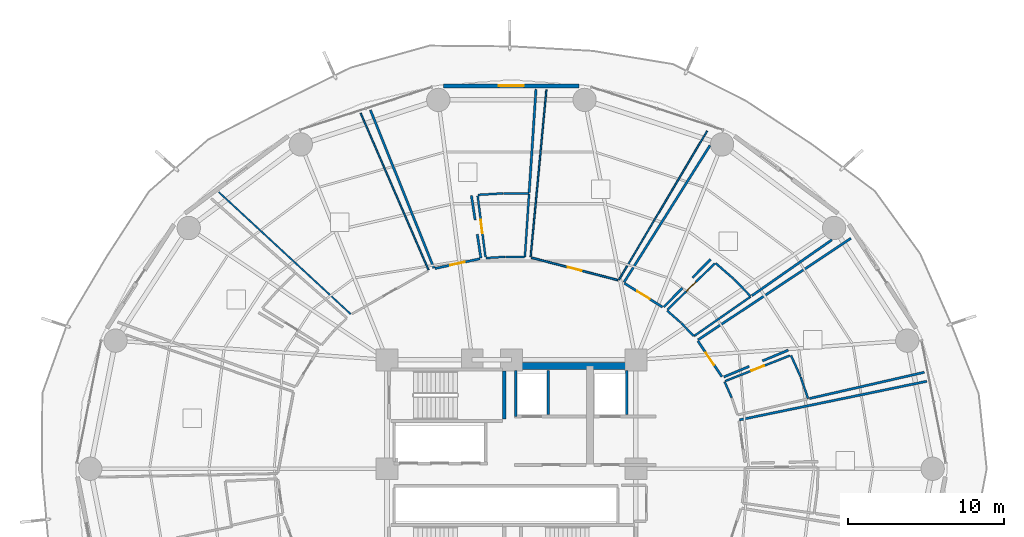
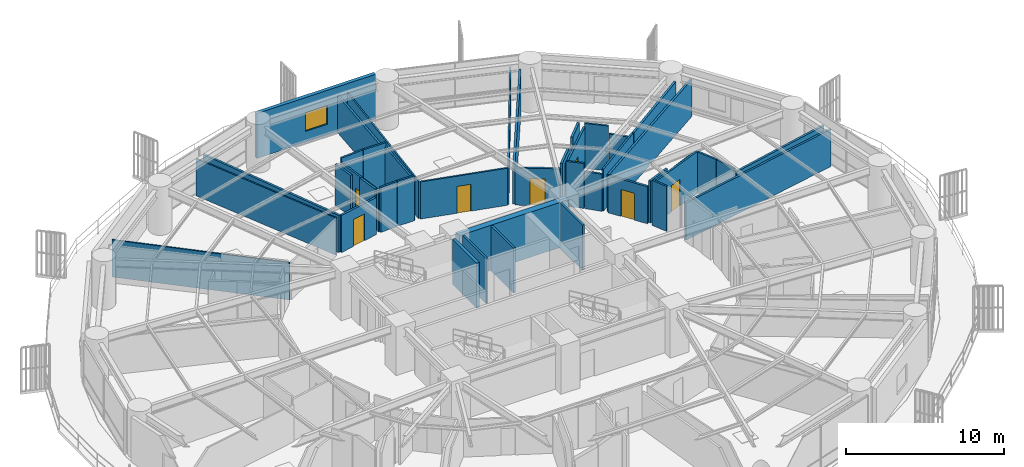
# One storey, part 26 of 33: 43 walls, 7 doors, 1 window, 8 openings.
"""IFC4 building model written with IfcOpenShell, lengths in metres."""

from ifc_helpers import new_model, si_unit, direction, frame, frame_2d, origin, place, context, subcontext, project, spatial, rectangle, extrude, material, layer, layer_set, type_object, element, fill, save


model = new_model("IFC4")

# Units and contexts
model_context = context("Model", 3, precision=1e-05, world=origin(), true_north=direction((0.0, 1.0)))
body_context = subcontext(model_context, "Body", "Model", "MODEL_VIEW")
ifc_project = project(units=[si_unit("LENGTHUNIT", "METRE"), si_unit("AREAUNIT", "SQUARE_METRE"), si_unit("VOLUMEUNIT", "CUBIC_METRE"), si_unit("PLANEANGLEUNIT", "RADIAN"), si_unit("MASSUNIT", "GRAM", prefix="KILO")], contexts=[model_context])

# Site, building, storey
site_placement = place(None, origin())
site = spatial("IfcSite", under=ifc_project, at=site_placement, CompositionType="ELEMENT")
building_placement = place(site_placement, origin())
building = spatial("IfcBuilding", under=site, at=building_placement, Name="Kelanora Arch Commons", CompositionType="ELEMENT")
storey_placement = place(building_placement, frame((0.0, 0.0, 41.25)))
storey = spatial("IfcBuildingStorey", under=building, at=storey_placement, Name="L10", CompositionType="ELEMENT", Elevation=41.25)

# Walls
ifc_material_1 = material(Name="Autoclaved aerated concrete blockwork with fire plaster", Category="masonry")
ifc_layer_1 = layer(ifc_material_1, 0.14990234375)
ifc_layer_set_1 = layer_set([ifc_layer_1], Name="Autoclaved aerated concrete blockwork with fire plaster")
wall_type_1 = type_object("IfcWallType", Name="W-COMP-150", PredefinedType="PARTITIONING", material=ifc_layer_set_1)
wall_1_placement = place(storey_placement, frame((74.280029296875, 61.35009765625, 0.0), z_axis=(0.0, 0.0, 1.0), x_axis=(0.0, 1.0, 0.0)))
element("IfcWall", 1, at=wall_1_placement, inside=storey, type_object=wall_type_1, Name="Firefighting Lift 1 West Shaft Wall L10", PredefinedType="PARTITIONING", context=body_context, shape_type="SweptSolid", body=[
    extrude(rectangle(XDim=2.969970703125, YDim=0.14990234375, at=frame_2d((1.48486328125, 0.0))), origin(), (0.0, 0.0, 1.0), 3.47998046875),
])
for number, where, z_axis, x_axis, name in (
    (2, (76.360107421875, 61.47998046875, 0.0), (0.0, 0.0, 1.0), (0.0, 1.0, 0.0), "Firefighting Lift 1 East Shaft Wall L10"),
    (3, (81.419921875, 61.47998046875, 0.0), (0.0, 0.0, 1.0), (0.0, 1.0, 0.0), "Firefighting Lift 2 East Shaft Wall L10"),
):
    element("IfcWall", number, at=place(storey_placement, frame(where, z_axis=z_axis, x_axis=x_axis)), inside=storey, type_object=wall_type_1, Name=name, PredefinedType="PARTITIONING", context=body_context, shape_type="SweptSolid", body=[
        extrude(rectangle(XDim=2.840087890625, YDim=0.14990234375, at=frame_2d((1.419921875, 0.0))), origin(), (0.0, 0.0, 1.0), 3.47998046875),
    ])

# Wall, opening, door
wall_2_placement = place(storey_placement, frame((87.533447265625, 63.916748046875, 0.0), z_axis=(0.0, 0.0, 1.0), x_axis=(-0.558444152287, 0.829542119953, 0.0)))
wall_2 = element("IfcWall", 4, at=wall_2_placement, inside=storey, type_object=wall_type_1, Name="Co-Living Studio L10-01 Entry Partition", PredefinedType="PARTITIONING", context=body_context, shape_type="SweptSolid", body=[
    extrude(rectangle(XDim=2.7646484375, YDim=0.14990234375, at=frame_2d((1.38232421875, 0.0))), origin(), (0.0, 0.0, 1.0), 2.875),
])
opening_1_placement = place(wall_2_placement, frame((0.906982421875, 0.0, 0.0)))
opening_1 = element("IfcOpeningElement", 5, at=opening_1_placement, cuts=wall_2, Name="Opening D-CLU1", PredefinedType="OPENING", context=body_context, shape_type="SweptSolid", body=[
    extrude(rectangle(XDim=0.949951171875, YDim=2.080078125, at=frame_2d((0.47509765625, 1.0400390625))), frame((0.0, 0.0849609375, 0.0), z_axis=(0.0, -1.0, 0.0), x_axis=(1.0, 0.0, 0.0)), (0.0, 0.0, 1.0), 0.169921875),
])
ifc_material_2 = material(Name="Solid-core acoustic timber cluster entry fire door", Category="wood")
door_type_1 = type_object("IfcDoorType", Name="D-CLU-95", OperationType="NOTDEFINED", PredefinedType="DOOR", material=ifc_material_2)
door_1_placement = place(opening_1_placement, origin())
door_1 = element("IfcDoor", 6, at=door_1_placement, inside=storey, type_object=door_type_1, Name="Co-Living Studio L10-01 Door", OperationType="SINGLE_SWING_RIGHT", OverallHeight=2.080078125, OverallWidth=0.949951171875, PredefinedType="DOOR", context=body_context, shape_type="SweptSolid", body=[
    extrude(rectangle(XDim=0.949951171875, YDim=2.080078125, at=frame_2d((0.47509765625, 1.0400390625))), frame((0.0, 0.02490234375, 0.0), z_axis=(0.0, -1.0, 0.0), x_axis=(1.0, 0.0, 0.0)), (0.0, 0.0, 1.0), 0.050048828125),
])
fill(opening_1, door_1)

wall_3_placement = place(storey_placement, frame((83.711181640625, 68.394775390625, 0.0), z_axis=(0.0, 0.0, 1.0), x_axis=(-0.847522016495, 0.530760239238, 0.0)))
wall_3 = element("IfcWall", 7, at=wall_3_placement, inside=storey, type_object=wall_type_1, Name="Co-Living Studio L10-02 Entry Partition", PredefinedType="PARTITIONING", context=body_context, shape_type="SweptSolid", body=[
    extrude(rectangle(XDim=2.8818359375, YDim=0.14990234375, at=frame_2d((1.44091796875, 0.0))), origin(), (0.0, 0.0, 1.0), 2.875),
])
opening_2_placement = place(wall_3_placement, frame((0.966064453125, 0.0, 0.0)))
opening_2 = element("IfcOpeningElement", 8, at=opening_2_placement, cuts=wall_3, Name="Opening D-CLU1", PredefinedType="OPENING", context=body_context, shape_type="SweptSolid", body=[
    extrude(rectangle(XDim=0.949951171875, YDim=2.080078125, at=frame_2d((0.47509765625, 1.0400390625))), frame((0.0, 0.0849609375, 0.0), z_axis=(0.0, -1.0, 0.0), x_axis=(1.0, 0.0, 0.0)), (0.0, 0.0, 1.0), 0.169921875),
])
door_2_placement = place(opening_2_placement, origin())
door_2 = element("IfcDoor", 9, at=door_2_placement, inside=storey, type_object=door_type_1, Name="Co-Living Studio L10-02 Door", OperationType="SINGLE_SWING_RIGHT", OverallHeight=2.080078125, OverallWidth=0.949951171875, PredefinedType="DOOR", context=body_context, shape_type="SweptSolid", body=[
    extrude(rectangle(XDim=0.949951171875, YDim=2.080078125, at=frame_2d((0.47509765625, 1.0400390625))), frame((0.0, 0.02490234375, 0.0), z_axis=(0.0, -1.0, 0.0), x_axis=(1.0, 0.0, 0.0)), (0.0, 0.0, 1.0), 0.050048828125),
])
fill(opening_2, door_2)

wall_4_placement = place(storey_placement, frame((71.9814453125, 71.501220703125, 0.0), z_axis=(0.0, 0.0, 1.0), x_axis=(-0.977451938751, -0.211158015313, 0.0)))
wall_4 = element("IfcWall", 10, at=wall_4_placement, inside=storey, type_object=wall_type_1, Name="Co-Living Studio L10-04 Entry Partition", PredefinedType="PARTITIONING", context=body_context, shape_type="SweptSolid", body=[
    extrude(rectangle(XDim=2.95751953125, YDim=0.14990234375, at=frame_2d((1.478759765625, 0.0))), origin(), (0.0, 0.0, 1.0), 2.875),
])
opening_3_placement = place(wall_4_placement, frame((1.00390625, 0.0, 0.0)))
opening_3 = element("IfcOpeningElement", 11, at=opening_3_placement, cuts=wall_4, Name="Opening D-CLU1", PredefinedType="OPENING", context=body_context, shape_type="SweptSolid", body=[
    extrude(rectangle(XDim=0.949951171875, YDim=2.080078125, at=frame_2d((0.47509765625, 1.0400390625))), frame((0.0, 0.0849609375, 0.0), z_axis=(0.0, -1.0, 0.0), x_axis=(1.0, 0.0, 0.0)), (0.0, 0.0, 1.0), 0.169921875),
])
door_3_placement = place(opening_3_placement, origin())
door_3 = element("IfcDoor", 12, at=door_3_placement, inside=storey, type_object=door_type_1, Name="Co-Living Studio L10-04 Door", OperationType="SINGLE_SWING_LEFT", OverallHeight=2.080078125, OverallWidth=0.949951171875, PredefinedType="DOOR", context=body_context, shape_type="SweptSolid", body=[
    extrude(rectangle(XDim=0.949951171875, YDim=2.080078125, at=frame_2d((0.47509765625, 1.0400390625))), frame((0.0, 0.02490234375, 0.0), z_axis=(0.0, -1.0, 0.0), x_axis=(1.0, 0.0, 0.0)), (0.0, 0.0, 1.0), 0.050048828125),
])
fill(opening_3, door_3)

# Walls
wall_5_placement = place(storey_placement, frame((85.9892578125, 66.281982421875, 0.0), z_axis=(0.0, 0.0, 1.0), x_axis=(0.833114362659, 0.553100767248, 0.0)))
element("IfcWall", 13, at=wall_5_placement, inside=storey, type_object=wall_type_1, Name="Co-Living Studio L10-01 Enclosure Partition 2", PredefinedType="PARTITIONING", context=body_context, shape_type="SweptSolid", body=[
    extrude(rectangle(XDim=11.80810546875, YDim=0.14990234375, at=frame_2d((5.904052734375, 0.0))), origin(), (0.0, 0.0, 1.0), 2.875),
])
wall_6_placement = place(storey_placement, frame((100.5419921875, 64.203125, 0.0), z_axis=(0.0, 0.0, 1.0), x_axis=(-0.974849509839, -0.222864158552, 0.0)))
element("IfcWall", 14, at=wall_6_placement, inside=storey, type_object=wall_type_1, Name="Co-Living Studio L10-01 Enclosure Partition 5", PredefinedType="PARTITIONING", context=body_context, shape_type="SweptSolid", body=[
    extrude(rectangle(XDim=7.57958984375, YDim=0.14990234375, at=frame_2d((3.789794921875, 0.0))), origin(), (0.0, 0.0, 1.0), 2.875),
])
wall_7_placement = place(storey_placement, frame((91.800048828125, 65.625732421875, 0.0), z_axis=(0.0, 0.0, 1.0), x_axis=(-0.92347379334, -0.383661508383, 0.0)))
element("IfcWall", 15, at=wall_7_placement, inside=storey, type_object=wall_type_1, Name="Co-Living Studio L10-01 Enclosure Partition 7", PredefinedType="PARTITIONING", context=body_context, shape_type="SweptSolid", body=[
    extrude(rectangle(XDim=1.799560546875, YDim=0.14990234375, at=frame_2d((0.89990234375, 0.0))), origin(), (0.0, 0.0, 1.0), 2.875),
])
wall_8_placement = place(storey_placement, frame((89.28857421875, 64.582275390625, 0.0), z_axis=(0.0, 0.0, 1.0), x_axis=(-0.923444705598, -0.383731515129, 0.0)))
element("IfcWall", 16, at=wall_8_placement, inside=storey, type_object=wall_type_1, Name="Co-Living Studio L10-01 Enclosure Partition 7", PredefinedType="PARTITIONING", context=body_context, shape_type="SweptSolid", body=[
    extrude(rectangle(XDim=1.765625, YDim=0.14990234375, at=frame_2d((0.8828125, 0.0))), origin(), (0.0, 0.0, 1.0), 3.235107421875),
])
wall_9_placement = place(storey_placement, frame((81.2392578125, 69.989990234375, 0.0), z_axis=(0.0, 0.0, 1.0), x_axis=(0.531976191107, 0.846759311785, 0.0)))
element("IfcWall", 17, at=wall_9_placement, inside=storey, type_object=wall_type_1, Name="Co-Living Studio L10-02 Enclosure Partition 2", PredefinedType="PARTITIONING", context=body_context, shape_type="SweptSolid", body=[
    extrude(rectangle(XDim=10.39208984375, YDim=0.14990234375, at=frame_2d((5.196044921875, 0.0))), origin(), (0.0, 0.0, 1.0), 3.175048828125),
])
wall_10_placement = place(storey_placement, frame((94.601806640625, 72.716552734375, 0.0), z_axis=(0.0, 0.0, 1.0), x_axis=(-0.819914684215, -0.572485729611, 0.0)))
element("IfcWall", 18, at=wall_10_placement, inside=storey, type_object=wall_type_1, Name="Co-Living Studio L10-02 Enclosure Partition 5", PredefinedType="PARTITIONING", context=body_context, shape_type="SweptSolid", body=[
    extrude(rectangle(XDim=6.27734375, YDim=0.14990234375, at=frame_2d((3.138671875, 0.0))), origin(), (0.0, 0.0, 1.0), 3.175048828125),
])
wall_11_placement = place(storey_placement, frame((86.806884765625, 71.469482421875, 0.0), z_axis=(0.0, 0.0, 1.0), x_axis=(-0.699982262545, -0.714160228606, 0.0)))
element("IfcWall", 19, at=wall_11_placement, inside=storey, type_object=wall_type_1, Name="Co-Living Studio L10-02 Enclosure Partition 7", PredefinedType="PARTITIONING", context=body_context, shape_type="SweptSolid", body=[
    extrude(rectangle(XDim=1.67041015625, YDim=0.14990234375, at=frame_2d((0.835205078125, 0.0))), origin(), (0.0, 0.0, 1.0), 3.47998046875),
])
wall_12_placement = place(storey_placement, frame((84.993408203125, 69.619384765625, 0.0), z_axis=(0.0, 0.0, 1.0), x_axis=(-0.69997059614, -0.714171663215, 0.0)))
element("IfcWall", 20, at=wall_12_placement, inside=storey, type_object=wall_type_1, Name="Co-Living Studio L10-02 Enclosure Partition 7", PredefinedType="PARTITIONING", context=body_context, shape_type="SweptSolid", body=[
    extrude(rectangle(XDim=1.71923828125, YDim=0.14990234375, at=frame_2d((0.859619140625, 0.0))), origin(), (0.0, 0.0, 1.0), 3.235107421875),
])
wall_13_placement = place(storey_placement, frame((69.01708984375, 70.901123046875, 0.0), z_axis=(0.0, 0.0, 1.0), x_axis=(-0.372877076454, 0.927880749803, 0.0)))
element("IfcWall", 21, at=wall_13_placement, inside=storey, type_object=wall_type_1, Name="Co-Living Studio L10-04 Enclosure Partition 2", PredefinedType="PARTITIONING", context=body_context, shape_type="SweptSolid", body=[
    extrude(rectangle(XDim=10.955810546875, YDim=0.14990234375, at=frame_2d((5.47802734375, 0.0))), origin(), (0.0, 0.0, 1.0), 2.875),
])
wall_14_placement = place(storey_placement, frame((75.579345703125, 82.399169921875, 0.0), z_axis=(0.0, 0.0, 1.0), x_axis=(-0.065975596533, -0.997821236827, 0.0)))
element("IfcWall", 22, at=wall_14_placement, inside=storey, type_object=wall_type_1, Name="Co-Living Studio L10-04 Enclosure Partition 5", PredefinedType="PARTITIONING", context=body_context, shape_type="SweptSolid", body=[
    extrude(rectangle(XDim=6.649658203125, YDim=0.14990234375, at=frame_2d((3.32470703125, 0.0))), origin(), (0.0, 0.0, 1.0), 2.875),
])
wall_15_placement = place(storey_placement, frame((71.428955078125, 75.561279296875, 0.0), z_axis=(0.0, 0.0, 1.0), x_axis=(0.149314908759, -0.988789693526, 0.0)))
element("IfcWall", 23, at=wall_15_placement, inside=storey, type_object=wall_type_1, Name="Co-Living Studio L10-04 Enclosure Partition 7", PredefinedType="PARTITIONING", context=body_context, shape_type="SweptSolid", body=[
    extrude(rectangle(XDim=1.592529296875, YDim=0.14990234375, at=frame_2d((0.79638671875, 0.0))), origin(), (0.0, 0.0, 1.0), 3.175048828125),
])
wall_16_placement = place(storey_placement, frame((71.80419921875, 73.07666015625, 0.0), z_axis=(0.0, 0.0, 1.0), x_axis=(0.149162041114, -0.988812765639, 0.0)))
element("IfcWall", 24, at=wall_16_placement, inside=storey, type_object=wall_type_1, Name="Co-Living Studio L10-04 Enclosure Partition 7", PredefinedType="PARTITIONING", context=body_context, shape_type="SweptSolid", body=[
    extrude(rectangle(XDim=1.540283203125, YDim=0.14990234375, at=frame_2d((0.77001953125, 0.0))), origin(), (0.0, 0.0, 1.0), 3.47998046875),
])
wall_17_placement = place(storey_placement, frame((88.666259765625, 61.14404296875, 0.0), z_axis=(0.0, 0.0, 1.0), x_axis=(0.979434419697, 0.201762775339, 0.0)))
element("IfcWall", 25, at=wall_17_placement, inside=storey, type_object=wall_type_1, Name="Co-Living Studio L10-15 Enclosure Partition 2", PredefinedType="PARTITIONING", context=body_context, shape_type="SweptSolid", body=[
    extrude(rectangle(XDim=12.290283203125, YDim=0.14990234375, at=frame_2d((6.14501953125, 0.0))), origin(), (0.0, 0.0, 1.0), 2.875),
])
ifc_material_3 = material(Name="Concrete C60/75", Category="concrete")
ifc_layer_2 = layer(ifc_material_3, 0.449951171875)
ifc_layer_set_2 = layer_set([ifc_layer_2], Name="Concrete C60/75")
wall_type_2 = type_object("IfcWallType", Name="W-CORE-450", PredefinedType="SHEAR", material=ifc_layer_set_2)
wall_18_placement = place(storey_placement, frame((74.0, 64.60009765625, 0.0), z_axis=(0.0, 0.0, 1.0), x_axis=(1.0, 0.0, 0.0)))
element("IfcWall", 26, at=wall_18_placement, inside=storey, type_object=wall_type_2, Name="Core Shear Spine L10-CN-E", PredefinedType="SHEAR", context=body_context, shape_type="SweptSolid", body=[
    extrude(rectangle(XDim=8.0, YDim=0.449951171875, at=frame_2d((4.0, 0.0))), origin(), (0.0, 0.0, 1.0), 3.489990234375),
])

# Wall, opening, window
ifc_material_4 = material(Name="Precast concrete C40/50 with terracotta rainscreen", Category="masonry")
ifc_layer_3 = layer(ifc_material_4, 0.260009765625)
ifc_layer_set_3 = layer_set([ifc_layer_3], Name="Precast concrete C40/50 with terracotta rainscreen")
wall_type_3 = type_object("IfcWallType", Name="W-EXT-TC", PredefinedType="SOLIDWALL", material=ifc_layer_set_3)
wall_19_placement = place(storey_placement, frame((78.35595703125, 82.6201171875, 0.0), z_axis=(0.0, 0.0, 1.0), x_axis=(-1.0, 0.0, 0.0)))
wall_19 = element("IfcWall", 27, at=wall_19_placement, inside=storey, type_object=wall_type_3, Name="Terracotta Exterior Wall L10-B04", PredefinedType="SOLIDWALL", context=body_context, shape_type="SweptSolid", body=[
    extrude(rectangle(XDim=8.7119140625, YDim=0.260009765625, at=frame_2d((4.35595703125, 0.0))), origin(), (0.0, 0.0, 1.0), 3.47509765625),
])
opening_4_placement = place(wall_19_placement, frame((3.555908203125, 0.0, 0.85009765625)))
opening_4 = element("IfcOpeningElement", 28, at=opening_4_placement, cuts=wall_19, Name="Opening WN-01", PredefinedType="OPENING", context=body_context, shape_type="SweptSolid", body=[
    extrude(rectangle(XDim=1.60009765625, YDim=1.449951171875, at=frame_2d((0.800048828125, 0.72509765625))), frame((0.0, 0.14013671875, 0.0), z_axis=(0.0, -1.0, 0.0), x_axis=(1.0, 0.0, 0.0)), (0.0, 0.0, 1.0), 0.280029296875),
])
ifc_material_5 = material(Name="Terracotta-anodised aluminium frame with operable low-E glazing", Category="masonry")
window_type = type_object("IfcWindowType", Name="WIN-CL-18", PartitioningType="DOUBLE_PANEL_VERTICAL", PredefinedType="WINDOW", material=ifc_material_5)
window_placement = place(opening_4_placement, origin())
window = element("IfcWindow", 29, at=window_placement, inside=storey, type_object=window_type, Name="Co-Living Operable Window L10-B04", OverallHeight=1.449951171875, OverallWidth=1.60009765625, PartitioningType="SINGLE_PANEL", PredefinedType="WINDOW", context=body_context, shape_type="SweptSolid", body=[
    extrude(rectangle(XDim=1.60009765625, YDim=1.449951171875, at=frame_2d((0.800048828125, 0.72509765625))), frame((0.0, 0.030029296875, 0.0), z_axis=(0.0, -1.0, 0.0), x_axis=(1.0, 0.0, 0.0)), (0.0, 0.0, 1.0), 0.06005859375),
])
fill(opening_4, window)

# Walls
ifc_material_6 = material(Name="Lightweight fire-rated acoustic stud partition")
ifc_layer_4 = layer(ifc_material_6, 0.10009765625)
ifc_layer_set_4 = layer_set([ifc_layer_4], Name="Lightweight fire-rated acoustic stud partition")
wall_type_4 = type_object("IfcWallType", Name="W-PART-100", PredefinedType="PARTITIONING", material=ifc_layer_set_4)
wall_20_placement = place(storey_placement, frame((75.23583984375, 71.623779296875, 0.0), z_axis=(0.0, 0.0, 1.0), x_axis=(0.093901844858, 0.995581460018, 0.0)))
element("IfcWall", 30, at=wall_20_placement, inside=storey, type_object=wall_type_4, Name="Communal Dining and Social Hall L10-03 Enclosure Partition 2", PredefinedType="PARTITIONING", context=body_context, shape_type="SweptSolid", body=[
    extrude(rectangle(XDim=10.781982421875, YDim=0.10009765625, at=frame_2d((5.39111328125, 0.0))), origin(), (0.0, 0.0, 1.0), 2.875),
])
wall_21_placement = place(storey_placement, frame((86.58349609375, 79.718505859375, 0.0), z_axis=(0.0, 0.0, 1.0), x_axis=(-0.509594840762, -0.860414492131, 0.0)))
element("IfcWall", 31, at=wall_21_placement, inside=storey, type_object=wall_type_4, Name="Communal Dining and Social Hall L10-03 Enclosure Partition 4", PredefinedType="PARTITIONING", context=body_context, shape_type="SweptSolid", body=[
    extrude(rectangle(XDim=11.125, YDim=0.10009765625, at=frame_2d((5.5625, 0.0))), origin(), (0.0, 0.0, 1.0), 2.875),
])
wall_22_placement = place(storey_placement, frame((63.66259765625, 67.947265625, 0.0), z_axis=(0.0, 0.0, 1.0), x_axis=(-0.734175040947, 0.678960241288, 0.0)))
element("IfcWall", 32, at=wall_22_placement, inside=storey, type_object=wall_type_4, Name="Social Sky Lounge L10-05 Enclosure Partition 2", PredefinedType="PARTITIONING", context=body_context, shape_type="SweptSolid", body=[
    extrude(rectangle(XDim=11.54931640625, YDim=0.10009765625, at=frame_2d((5.774658203125, 0.0))), origin(), (0.0, 0.0, 1.0), 2.875),
])
wall_23_placement = place(storey_placement, frame((64.302978515625, 80.86328125, 0.0), z_axis=(0.0, 0.0, 1.0), x_axis=(0.397730954589, -0.917502091421, 0.0)))
element("IfcWall", 33, at=wall_23_placement, inside=storey, type_object=wall_type_4, Name="Social Sky Lounge L10-05 Enclosure Partition 4", PredefinedType="PARTITIONING", context=body_context, shape_type="SweptSolid", body=[
    extrude(rectangle(XDim=10.982666015625, YDim=0.10009765625, at=frame_2d((5.4912109375, 0.0))), origin(), (0.0, 0.0, 1.0), 2.875),
])

# Wall, opening, door
ifc_material_7 = material(Name="Acoustic twin-stud fire-rated gypsum partition")
ifc_layer_5 = layer(ifc_material_7, 0.1201171875)
ifc_layer_set_5 = layer_set([ifc_layer_5], Name="Acoustic twin-stud fire-rated gypsum partition")
wall_type_5 = type_object("IfcWallType", Name="W-PART-120", PredefinedType="PARTITIONING", material=ifc_layer_set_5)
wall_24_placement = place(storey_placement, frame((80.8359375, 70.127197265625, 0.0), z_axis=(0.0, 0.0, 1.0), x_axis=(-0.967834541954, 0.251587558119, 0.0)))
wall_24 = element("IfcWall", 34, at=wall_24_placement, inside=storey, type_object=wall_type_5, Name="Communal Dining and Social Hall L10-03 Entry Partition", PredefinedType="PARTITIONING", context=body_context, shape_type="SweptSolid", body=[
    extrude(rectangle(XDim=5.730224609375, YDim=0.1201171875, at=frame_2d((2.865234375, 0.0))), origin(), (0.0, 0.0, 1.0), 2.875),
])
opening_5_placement = place(wall_24_placement, frame((2.4150390625, 0.0, 0.0)))
opening_5 = element("IfcOpeningElement", 35, at=opening_5_placement, cuts=wall_24, Name="Opening D-RM1", PredefinedType="OPENING", context=body_context, shape_type="SweptSolid", body=[
    extrude(rectangle(XDim=0.89990234375, YDim=2.080078125, at=frame_2d((0.449951171875, 1.0400390625))), frame((0.0, 0.070068359375, 0.0), z_axis=(0.0, -1.0, 0.0), x_axis=(1.0, 0.0, 0.0)), (0.0, 0.0, 1.0), 0.14013671875),
])
ifc_material_8 = material(Name="Acoustic fire-rated timber study and lounge door", Category="wood")
door_type_2 = type_object("IfcDoorType", Name="D-ROOM-90", OperationType="NOTDEFINED", PredefinedType="DOOR", material=ifc_material_8)
door_4_placement = place(opening_5_placement, origin())
door_4 = element("IfcDoor", 36, at=door_4_placement, inside=storey, type_object=door_type_2, Name="Communal Dining and Social Hall L10-03 Door", OperationType="SINGLE_SWING_LEFT", OverallHeight=2.080078125, OverallWidth=0.89990234375, PredefinedType="DOOR", context=body_context, shape_type="SweptSolid", body=[
    extrude(rectangle(XDim=0.89990234375, YDim=2.080078125, at=frame_2d((0.449951171875, 1.0400390625))), frame((0.0, 0.02490234375, 0.0), z_axis=(0.0, -1.0, 0.0), x_axis=(1.0, 0.0, 0.0)), (0.0, 0.0, 1.0), 0.050048828125),
])
fill(opening_5, door_4)

# Wall
ifc_material_9 = material(Name="Concrete C40/50", Category="concrete")
ifc_layer_6 = layer(ifc_material_9, 0.199951171875)
ifc_layer_set_6 = layer_set([ifc_layer_6], Name="Concrete C40/50")
wall_type_6 = type_object("IfcWallType", Name="W-STAIR-200", PredefinedType="SHEAR", material=ifc_layer_set_6)
wall_25_placement = place(storey_placement, frame((73.5400390625, 61.199951171875, 0.0), z_axis=(0.0, 0.0, 1.0), x_axis=(0.0, 1.0, 0.0)))
element("IfcWall", 37, at=wall_25_placement, inside=storey, type_object=wall_type_6, Name="Stair ST-T1 Shaft Wall E L10", PredefinedType="SHEAR", context=body_context, shape_type="SweptSolid", body=[
    extrude(rectangle(XDim=3.070068359375, YDim=0.199951171875, at=frame_2d((1.53515625, 0.0))), origin(), (0.0, 0.0, 1.0), 3.489990234375),
])

# Wall, opening, door
ifc_material_10 = material(Name="Moisture-resistant fire-rated cement-board plumbing wall")
ifc_layer_7 = layer(ifc_material_10, 0.1298828125)
ifc_layer_set_7 = layer_set([ifc_layer_7], Name="Moisture-resistant fire-rated cement-board plumbing wall")
wall_type_7 = type_object("IfcWallType", Name="W-WET-120", PredefinedType="PLUMBINGWALL", material=ifc_layer_set_7)
wall_26_placement = place(storey_placement, frame((87.749755859375, 63.639892578125, 0.0), z_axis=(0.0, 0.0, 1.0), x_axis=(0.930376245435, 0.366606112783, 0.0)))
wall_26 = element("IfcWall", 38, at=wall_26_placement, inside=storey, type_object=wall_type_7, Name="En-Suite Shower WC L10-01 Entry Partition", PredefinedType="PLUMBINGWALL", context=body_context, shape_type="SweptSolid", body=[
    extrude(rectangle(XDim=4.473876953125, YDim=0.1298828125, at=frame_2d((2.23681640625, 0.0))), origin(), (0.0, 0.0, 1.0), 3.235107421875),
])
opening_6_placement = place(wall_26_placement, frame((1.806884765625, 0.0, 0.0)))
opening_6 = element("IfcOpeningElement", 39, at=opening_6_placement, cuts=wall_26, Name="Opening D-BT1", PredefinedType="OPENING", context=body_context, shape_type="SweptSolid", body=[
    extrude(rectangle(XDim=0.860107421875, YDim=2.050048828125, at=frame_2d((0.43017578125, 1.02490234375))), frame((0.0, 0.074951171875, 0.0), z_axis=(0.0, -1.0, 0.0), x_axis=(1.0, 0.0, 0.0)), (0.0, 0.0, 1.0), 0.14990234375),
])
ifc_material_11 = material(Name="Moisture-sealed fire-rated accessible bathroom door")
door_type_3 = type_object("IfcDoorType", Name="D-BATH-85", OperationType="NOTDEFINED", PredefinedType="DOOR", material=ifc_material_11)
door_5_placement = place(opening_6_placement, origin())
door_5 = element("IfcDoor", 40, at=door_5_placement, inside=storey, type_object=door_type_3, Name="En-Suite Shower WC L10-01 Door", OperationType="SINGLE_SWING_LEFT", OverallHeight=2.050048828125, OverallWidth=0.860107421875, PredefinedType="DOOR", context=body_context, shape_type="SweptSolid", body=[
    extrude(rectangle(XDim=0.860107421875, YDim=2.050048828125, at=frame_2d((0.43017578125, 1.02490234375))), frame((0.0, 0.02490234375, 0.0), z_axis=(0.0, -1.0, 0.0), x_axis=(1.0, 0.0, 0.0)), (0.0, 0.0, 1.0), 0.050048828125),
])
fill(opening_6, door_5)

wall_27_placement = place(storey_placement, frame((84.032958984375, 68.22607421875, 0.0), z_axis=(0.0, 0.0, 1.0), x_axis=(0.714891568972, 0.699235328493, 0.0)))
wall_27 = element("IfcWall", 41, at=wall_27_placement, inside=storey, type_object=wall_type_7, Name="En-Suite Shower WC L10-02 Entry Partition", PredefinedType="PLUMBINGWALL", context=body_context, shape_type="SweptSolid", body=[
    extrude(rectangle(XDim=4.241455078125, YDim=0.1298828125, at=frame_2d((2.12060546875, 0.0))), origin(), (0.0, 0.0, 1.0), 3.235107421875),
])
opening_7_placement = place(wall_27_placement, frame((1.69091796875, 0.0, 0.0)))
opening_7 = element("IfcOpeningElement", 42, at=opening_7_placement, cuts=wall_27, Name="Opening D-BT1", PredefinedType="OPENING", context=body_context, shape_type="SweptSolid", body=[
    extrude(rectangle(XDim=0.860107421875, YDim=2.050048828125, at=frame_2d((0.43017578125, 1.02490234375))), frame((0.0, 0.074951171875, 0.0), z_axis=(0.0, -1.0, 0.0), x_axis=(1.0, 0.0, 0.0)), (0.0, 0.0, 1.0), 0.14990234375),
])
door_6_placement = place(opening_7_placement, origin())
door_6 = element("IfcDoor", 43, at=door_6_placement, inside=storey, type_object=door_type_3, Name="En-Suite Shower WC L10-02 Door", OperationType="SINGLE_SWING_LEFT", OverallHeight=2.050048828125, OverallWidth=0.860107421875, PredefinedType="DOOR", context=body_context, shape_type="SweptSolid", body=[
    extrude(rectangle(XDim=0.860107421875, YDim=2.050048828125, at=frame_2d((0.43017578125, 1.02490234375))), frame((0.0, 0.02490234375, 0.0), z_axis=(0.0, -1.0, 0.0), x_axis=(1.0, 0.0, 0.0)), (0.0, 0.0, 1.0), 0.050048828125),
])
fill(opening_7, door_6)

wall_28_placement = place(storey_placement, frame((72.331298828125, 71.6064453125, 0.0), z_axis=(0.0, 0.0, 1.0), x_axis=(-0.126591984802, 0.991954872655, 0.0)))
wall_28 = element("IfcWall", 44, at=wall_28_placement, inside=storey, type_object=wall_type_7, Name="En-Suite Shower WC L10-04 Entry Partition", PredefinedType="PLUMBINGWALL", context=body_context, shape_type="SweptSolid", body=[
    extrude(rectangle(XDim=3.970947265625, YDim=0.1298828125, at=frame_2d((1.9853515625, 0.0))), origin(), (0.0, 0.0, 1.0), 3.175048828125),
])
opening_8_placement = place(wall_28_placement, frame((1.554931640625, 0.0, 0.0)))
opening_8 = element("IfcOpeningElement", 45, at=opening_8_placement, cuts=wall_28, Name="Opening D-BT1", PredefinedType="OPENING", context=body_context, shape_type="SweptSolid", body=[
    extrude(rectangle(XDim=0.860107421875, YDim=2.050048828125, at=frame_2d((0.43017578125, 1.02490234375))), frame((0.0, 0.074951171875, 0.0), z_axis=(0.0, -1.0, 0.0), x_axis=(1.0, 0.0, 0.0)), (0.0, 0.0, 1.0), 0.14990234375),
])
door_7_placement = place(opening_8_placement, origin())
door_7 = element("IfcDoor", 46, at=door_7_placement, inside=storey, type_object=door_type_3, Name="En-Suite Shower WC L10-04 Door", OperationType="SINGLE_SWING_RIGHT", OverallHeight=2.050048828125, OverallWidth=0.860107421875, PredefinedType="DOOR", context=body_context, shape_type="SweptSolid", body=[
    extrude(rectangle(XDim=0.860107421875, YDim=2.050048828125, at=frame_2d((0.43017578125, 1.02490234375))), frame((0.0, 0.02490234375, 0.0), z_axis=(0.0, -1.0, 0.0), x_axis=(1.0, 0.0, 0.0)), (0.0, 0.0, 1.0), 0.050048828125),
])
fill(opening_8, door_7)

# Walls
wall_29_placement = place(storey_placement, frame((88.157958984375, 62.5732421875, 0.0), z_axis=(0.0, 0.0, 1.0), x_axis=(-0.405876230773, 0.913928052581, 0.0)))
element("IfcWall", 47, at=wall_29_placement, inside=storey, type_object=wall_type_7, Name="En-Suite Shower WC L10-01 Enclosure Partition 2", PredefinedType="PLUMBINGWALL", context=body_context, shape_type="SweptSolid", body=[
    extrude(rectangle(XDim=1.123046875, YDim=0.1298828125, at=frame_2d((0.5615234375, 0.0))), origin(), (0.0, 0.0, 1.0), 3.47998046875),
])
wall_30_placement = place(storey_placement, frame((91.976318359375, 65.28369140625, 0.0), z_axis=(0.0, 0.0, 1.0), x_axis=(0.408471301848, -0.91277116276, 0.0)))
element("IfcWall", 48, at=wall_30_placement, inside=storey, type_object=wall_type_7, Name="En-Suite Shower WC L10-01 Enclosure Partition 4", PredefinedType="PLUMBINGWALL", context=body_context, shape_type="SweptSolid", body=[
    extrude(rectangle(XDim=1.47509765625, YDim=0.1298828125, at=frame_2d((0.737548828125, 0.0))), origin(), (0.0, 0.0, 1.0), 3.175048828125),
])
wall_31_placement = place(storey_placement, frame((92.593505859375, 63.900146484375, 0.0), z_axis=(0.0, 0.0, 1.0), x_axis=(0.324213576546, -0.945983909368, 0.0)))
element("IfcWall", 49, at=wall_31_placement, inside=storey, type_object=wall_type_7, Name="En-Suite Shower WC L10-01 Enclosure Partition 5", PredefinedType="PLUMBINGWALL", context=body_context, shape_type="SweptSolid", body=[
    extrude(rectangle(XDim=1.46533203125, YDim=0.1298828125, at=frame_2d((0.732666015625, 0.0))), origin(), (0.0, 0.0, 1.0), 3.175048828125),
])
wall_32_placement = place(storey_placement, frame((85.716064453125, 66.536376953125, 0.0), z_axis=(0.0, 0.0, 1.0), x_axis=(-0.693609314424, 0.720351385745, 0.0)))
element("IfcWall", 50, at=wall_32_placement, inside=storey, type_object=wall_type_7, Name="En-Suite Shower WC L10-02 Enclosure Partition 1", PredefinedType="PLUMBINGWALL", context=body_context, shape_type="SweptSolid", body=[
    extrude(rectangle(XDim=1.159423828125, YDim=0.1298828125, at=frame_2d((0.57958984375, 0.0))), origin(), (0.0, 0.0, 1.0), 2.875),
])
wall_33_placement = place(storey_placement, frame((84.883056640625, 67.399169921875, 0.0), z_axis=(0.0, 0.0, 1.0), x_axis=(-0.75116489845, 0.660114607729, 0.0)))
element("IfcWall", 51, at=wall_33_placement, inside=storey, type_object=wall_type_7, Name="En-Suite Shower WC L10-02 Enclosure Partition 2", PredefinedType="PLUMBINGWALL", context=body_context, shape_type="SweptSolid", body=[
    extrude(rectangle(XDim=1.169189453125, YDim=0.1298828125, at=frame_2d((0.58447265625, 0.0))), origin(), (0.0, 0.0, 1.0), 3.47998046875),
])
wall_34_placement = place(storey_placement, frame((87.123046875, 71.220947265625, 0.0), z_axis=(0.0, 0.0, 1.0), x_axis=(0.754783045921, -0.655974506814, 0.0)))
element("IfcWall", 52, at=wall_34_placement, inside=storey, type_object=wall_type_7, Name="En-Suite Shower WC L10-02 Enclosure Partition 4", PredefinedType="PLUMBINGWALL", context=body_context, shape_type="SweptSolid", body=[
    extrude(rectangle(XDim=1.539306640625, YDim=0.1298828125, at=frame_2d((0.76953125, 0.0))), origin(), (0.0, 0.0, 1.0), 3.47998046875),
])
wall_35_placement = place(storey_placement, frame((88.31396484375, 70.18359375, 0.0), z_axis=(0.0, 0.0, 1.0), x_axis=(0.696872710474, -0.717194830849, 0.0)))
element("IfcWall", 53, at=wall_35_placement, inside=storey, type_object=wall_type_7, Name="En-Suite Shower WC L10-02 Enclosure Partition 5", PredefinedType="PLUMBINGWALL", context=body_context, shape_type="SweptSolid", body=[
    extrude(rectangle(XDim=1.525634765625, YDim=0.1298828125, at=frame_2d((0.7626953125, 0.0))), origin(), (0.0, 0.0, 1.0), 2.875),
])
wall_36_placement = place(storey_placement, frame((89.37451171875, 69.063720703125, 0.0), z_axis=(0.0, 0.0, 1.0), x_axis=(-0.820234155097, -0.572027910869, 0.0)))
element("IfcWall", 54, at=wall_36_placement, inside=storey, type_object=wall_type_7, Name="En-Suite Shower WC L10-02 Enclosure Partition 6", PredefinedType="PLUMBINGWALL", context=body_context, shape_type="SweptSolid", body=[
    extrude(rectangle(XDim=4.42333984375, YDim=0.1298828125, at=frame_2d((2.211669921875, 0.0))), origin(), (0.0, 0.0, 1.0), 3.235107421875),
])
wall_37_placement = place(storey_placement, frame((74.844970703125, 71.607421875, 0.0), z_axis=(0.0, 0.0, 1.0), x_axis=(-0.999899717313, 0.014161755422, 0.0)))
element("IfcWall", 55, at=wall_37_placement, inside=storey, type_object=wall_type_7, Name="En-Suite Shower WC L10-04 Enclosure Partition 1", PredefinedType="PLUMBINGWALL", context=body_context, shape_type="SweptSolid", body=[
    extrude(rectangle(XDim=1.22412109375, YDim=0.1298828125, at=frame_2d((0.612060546875, 0.0))), origin(), (0.0, 0.0, 1.0), 3.47998046875),
])
wall_38_placement = place(storey_placement, frame((73.5810546875, 71.623779296875, 0.0), z_axis=(0.0, 0.0, 1.0), x_axis=(-0.998088101555, -0.061807293544, 0.0)))
element("IfcWall", 56, at=wall_38_placement, inside=storey, type_object=wall_type_7, Name="En-Suite Shower WC L10-04 Enclosure Partition 2", PredefinedType="PLUMBINGWALL", context=body_context, shape_type="SweptSolid", body=[
    extrude(rectangle(XDim=1.224609375, YDim=0.1298828125, at=frame_2d((0.6123046875, 0.0))), origin(), (0.0, 0.0, 1.0), 3.47998046875),
])
wall_39_placement = place(storey_placement, frame((71.841064453125, 75.606201171875, 0.0), z_axis=(0.0, 0.0, 1.0), x_axis=(0.99810332164, 0.061561021199, 0.0)))
element("IfcWall", 57, at=wall_39_placement, inside=storey, type_object=wall_type_7, Name="En-Suite Shower WC L10-04 Enclosure Partition 4", PredefinedType="PLUMBINGWALL", context=body_context, shape_type="SweptSolid", body=[
    extrude(rectangle(XDim=1.6181640625, YDim=0.1298828125, at=frame_2d((0.80908203125, 0.0))), origin(), (0.0, 0.0, 1.0), 3.47998046875),
])
wall_40_placement = place(storey_placement, frame((73.49609375, 75.706787109375, 0.0), z_axis=(0.0, 0.0, 1.0), x_axis=(0.999903766804, -0.013872891954, 0.0)))
element("IfcWall", 58, at=wall_40_placement, inside=storey, type_object=wall_type_7, Name="En-Suite Shower WC L10-04 Enclosure Partition 5", PredefinedType="PLUMBINGWALL", context=body_context, shape_type="SweptSolid", body=[
    extrude(rectangle(XDim=1.619140625, YDim=0.1298828125, at=frame_2d((0.8095703125, 0.0))), origin(), (0.0, 0.0, 1.0), 3.47998046875),
])
wall_41_placement = place(storey_placement, frame((75.1337890625, 75.6640625, 0.0), z_axis=(0.0, 0.0, 1.0), x_axis=(-0.066134527356, -0.997810715663, 0.0)))
element("IfcWall", 59, at=wall_41_placement, inside=storey, type_object=wall_type_7, Name="En-Suite Shower WC L10-04 Enclosure Partition 6", PredefinedType="PLUMBINGWALL", context=body_context, shape_type="SweptSolid", body=[
    extrude(rectangle(XDim=4.0458984375, YDim=0.1298828125, at=frame_2d((2.02294921875, 0.0))), origin(), (0.0, 0.0, 1.0), 3.175048828125),
])

save(model, "model.ifc")
